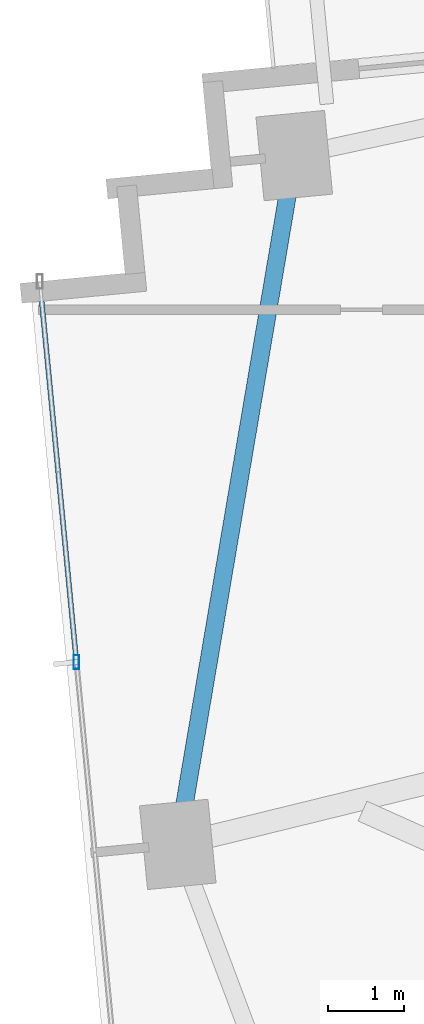
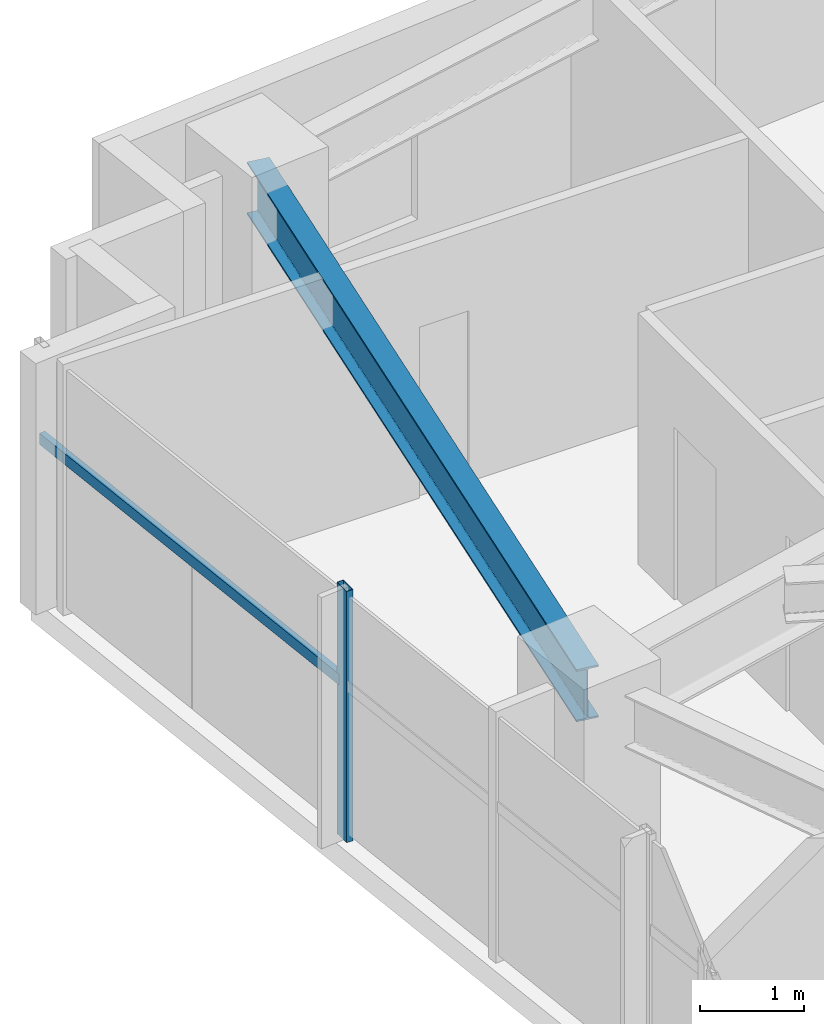
# One storey, part 4 of 25: 2 members, 1 beam, 1 element without a shape of its own.
"""IFC4 building model written with IfcOpenShell, lengths in metres."""

import ifcopenshell
import ifcopenshell.guid

model = None  # the IFC model being written
_history = None  # IfcOwnerHistory: only IFC2X3 demands one
_inside = {}  # id of a spatial element -> (the spatial element, [elements in it])
_under = {}  # id of a project, library or spatial element -> (it, [spatial elements below it])
_declared = {}  # id of a project -> (the project, [libraries it declares])
_typed = {}  # id of a type object -> (the type object, [elements of that type])
_made_of = {}  # id of a material, layer set ... -> (it, [elements and type objects made of it])


def new_model(schema):
    """Start an empty IFC model of exactly this schema.

    Asked for "IFC4X3", IfcOpenShell would pick the latest addendum, in which some entities
    have other attributes; the version numbers below select the first issue.
    IFC2X3 requires an IfcOwnerHistory on every rooted entity: one is made here for all.
    """
    global model, _history
    if schema == "IFC4X3":
        model = ifcopenshell.file(schema_version=(4, 3, 0, 0))
    else:
        model = ifcopenshell.file(schema=schema)
    _inside.clear()
    _under.clear()
    _declared.clear()
    _typed.clear()
    _made_of.clear()
    _history = None
    if model.schema == "IFC2X3":
        org = make("IfcOrganization", Name="unknown")
        user = make(
            "IfcPersonAndOrganization",
            ThePerson=make("IfcPerson", FamilyName="unknown"),
            TheOrganization=org,
        )
        app = make(
            "IfcApplication",
            ApplicationDeveloper=org,
            Version="unknown",
            ApplicationFullName="unknown",
            ApplicationIdentifier="unknown",
        )
        _history = make(
            "IfcOwnerHistory",
            OwningUser=user,
            OwningApplication=app,
            ChangeAction="ADDED",
            CreationDate=0,
        )
    return model


def make(cls, **values):
    """One entity of the class cls with the attributes given. An attribute that is None is left unset."""
    return model.create_entity(
        cls, **{name: value for name, value in values.items() if value is not None}
    )


def rooted(cls, **values):
    """An entity with a GlobalId (a new one), such as an element, a storey or a relation."""
    return make(cls, GlobalId=ifcopenshell.guid.new(), OwnerHistory=_history, **values)


def si_unit(unit_type, name, prefix=None):
    """IfcSIUnit, for example si_unit("LENGTHUNIT", "METRE", prefix="MILLI")."""
    return make("IfcSIUnit", UnitType=unit_type, Prefix=prefix, Name=name)


def assignment(units):
    """IfcUnitAssignment: the units of a project."""
    return None if units is None else make("IfcUnitAssignment", Units=units)


def point(xyz):
    """IfcCartesianPoint."""
    return None if xyz is None else make("IfcCartesianPoint", Coordinates=xyz)


def direction(xyz):
    """IfcDirection."""
    return None if xyz is None else make("IfcDirection", DirectionRatios=xyz)


def frame(location, z_axis=None, x_axis=None):
    """IfcAxis2Placement3D, a coordinate frame: its origin and axes. An axis left out is left unset."""
    return make(
        "IfcAxis2Placement3D",
        Location=point(location),
        Axis=direction(z_axis),
        RefDirection=direction(x_axis),
    )


def frame_2d(location, x_axis=None):
    """IfcAxis2Placement2D, a coordinate frame in the plane: its origin and x axis."""
    return make(
        "IfcAxis2Placement2D", Location=point(location), RefDirection=direction(x_axis)
    )


def origin():
    """The frame at (0, 0, 0) with its axes left unset."""
    return frame((0.0, 0.0, 0.0))


def origin_2d():
    """The frame at (0, 0) in the plane with its x axis left unset."""
    return frame_2d((0.0, 0.0))


def place(relative_to, where):
    """IfcLocalPlacement: puts the frame where relative to a parent placement (None: the world)."""
    return make(
        "IfcLocalPlacement", PlacementRelTo=relative_to, RelativePlacement=where
    )


def context(
    kind, dimensions, precision=None, world=None, true_north=None, identifier=None
):
    """IfcGeometricRepresentationContext, for example the 3D "Model" context."""
    return make(
        "IfcGeometricRepresentationContext",
        ContextIdentifier=identifier,
        ContextType=kind,
        CoordinateSpaceDimension=dimensions,
        Precision=precision,
        WorldCoordinateSystem=world,
        TrueNorth=true_north,
    )


def subcontext(parent, identifier, kind, view, scale=None):
    """IfcGeometricRepresentationSubContext, for example "Body" below "Model"."""
    return make(
        "IfcGeometricRepresentationSubContext",
        ContextIdentifier=identifier,
        ContextType=kind,
        ParentContext=parent,
        TargetScale=scale,
        TargetView=view,
    )


def project(units=None, contexts=None):
    """IfcProject with its units and contexts."""
    return rooted(
        "IfcProject",
        Name="project",
        RepresentationContexts=contexts,
        UnitsInContext=assignment(units),
    )


def spatial(cls, under=None, at=None, **own):
    """A site, building, storey or space (cls), placed at a placement, below another one or the project."""
    s = rooted(cls, ObjectPlacement=at, **own)
    if under is not None:
        _under.setdefault(under.id(), (under, []))[1].append(s)
    return s


def profile(cls, at=None, kind="AREA", **sizes):
    """A parametric profile (cls). Its sizes go by their IFC names, for example OverallWidth=200.0."""
    return make(cls, ProfileType=kind, Position=at, **sizes)


def hollow_rectangle(**sizes):
    """IfcRectangleHollowProfileDef."""
    return profile("IfcRectangleHollowProfileDef", **sizes)


def i_section(**sizes):
    """IfcIShapeProfileDef."""
    return profile("IfcIShapeProfileDef", **sizes)


def extrude(swept, where, along, depth):
    """IfcExtrudedAreaSolid: the profile swept, set in the frame where, extruded along a direction by depth."""
    return make(
        "IfcExtrudedAreaSolid",
        SweptArea=swept,
        Position=where,
        ExtrudedDirection=direction(along),
        Depth=depth,
    )


def shape(context_of_items, identifier, shape_type, items):
    """IfcShapeRepresentation: the items that make up one representation, for example the "Body"."""
    return make(
        "IfcShapeRepresentation",
        ContextOfItems=context_of_items,
        RepresentationIdentifier=identifier,
        RepresentationType=shape_type,
        Items=items,
    )


def source(mapping_origin, context_of_items, identifier, shape_type, items):
    """IfcRepresentationMap: a shape defined once, which mapped items show again and again."""
    return make(
        "IfcRepresentationMap",
        MappingOrigin=mapping_origin,
        MappedRepresentation=shape(context_of_items, identifier, shape_type, items),
    )


def transform(
    local_origin,
    x_axis=None,
    y_axis=None,
    z_axis=None,
    scale=None,
    scale2=None,
    scale3=None,
    uniform=True,
):
    """IfcCartesianTransformationOperator3D, or its non-uniform kind. x_axis, y_axis, z_axis: its Axis1, 2, 3."""
    if uniform:
        return make(
            "IfcCartesianTransformationOperator3D",
            Axis1=direction(x_axis),
            Axis2=direction(y_axis),
            LocalOrigin=point(local_origin),
            Scale=scale,
            Axis3=direction(z_axis),
        )
    return make(
        "IfcCartesianTransformationOperator3DnonUniform",
        Axis1=direction(x_axis),
        Axis2=direction(y_axis),
        LocalOrigin=point(local_origin),
        Scale=scale,
        Axis3=direction(z_axis),
        Scale2=scale2,
        Scale3=scale3,
    )


def mapped(mapping_source, mapping_target):
    """IfcMappedItem: shows the shape of a source again, moved by a transform."""
    return make(
        "IfcMappedItem", MappingSource=mapping_source, MappingTarget=mapping_target
    )


def material(Name=None, Category=None):
    """IfcMaterial."""
    return make("IfcMaterial", Name=Name, Category=Category)


def material_profile(
    of_material, cross_section, Name=None, Category=None, Priority=None
):
    """IfcMaterialProfile: a cross section and its material."""
    return make(
        "IfcMaterialProfile",
        Name=Name,
        Material=of_material,
        Profile=cross_section,
        Priority=Priority,
        Category=Category,
    )


def profile_set(profiles, Name=None, composite=None):
    """IfcMaterialProfileSet."""
    return make(
        "IfcMaterialProfileSet",
        Name=Name,
        MaterialProfiles=profiles,
        CompositeProfile=composite,
    )


def made_of(thing, what):
    """Note that an element or type object is made of a material, layer set ...; save() writes the relation."""
    if what is not None:
        _made_of.setdefault(what.id(), (what, []))[1].append(thing)
    return thing


def type_object(cls, material=None, **own):
    """A type object (cls), such as IfcWallType, which elements share."""
    return made_of(rooted(cls, **own), material)


def type_shapes(of_type, sources):
    """Give a type object the sources (RepresentationMaps) that its elements show as mapped items."""
    of_type.RepresentationMaps = sources


def element(
    cls,
    number,
    at=None,
    inside=None,
    cuts=None,
    type_object=None,
    material=None,
    context=None,
    identifier="Body",
    shape_type=None,
    held_by="IfcProductDefinitionShape",
    body=None,
    shapes=None,
    **own,
):
    """One element of the class cls, such as IfcWall. Its Tag is "e" and its number.

    at: its placement. inside: the storey or other place that contains it. cuts: it is an
    opening in that element (IfcRelVoidsElement). A single representation is given by context,
    identifier, shape_type and body (its items); several are given by shapes. held_by: the class
    of the entity that holds the representations. save() writes the other relations.
    """
    e = rooted(cls, Tag="e%d" % number, ObjectPlacement=at, **own)
    if body is not None:
        shapes = [shape(context, identifier, shape_type, body)]
    if shapes is not None:
        e.Representation = make(held_by, Representations=shapes)
    if inside is not None:
        _inside.setdefault(inside.id(), (inside, []))[1].append(e)
    if cuts is not None:
        rooted(
            "IfcRelVoidsElement", RelatingBuildingElement=cuts, RelatedOpeningElement=e
        )
    if type_object is not None:
        _typed.setdefault(type_object.id(), (type_object, []))[1].append(e)
    return made_of(e, material)


def aggregate(whole, parts):
    """IfcRelAggregates: a whole, such as a stair, and the parts it consists of."""
    return rooted("IfcRelAggregates", RelatingObject=whole, RelatedObjects=parts)


def save(model, path):
    """Write the relations noted so far, then the file.

    IfcRelAggregates (storeys below a building ...), IfcRelContainedInSpatialStructure (elements
    in a storey), IfcRelDefinesByType, IfcRelAssociatesMaterial and IfcRelDeclares: one each for
    every whole, place, type object, material and project.
    """
    for whole, parts in _under.values():
        aggregate(whole, parts)
    for where, things in _inside.values():
        rooted(
            "IfcRelContainedInSpatialStructure",
            RelatedElements=things,
            RelatingStructure=where,
        )
    for kind, things in _typed.values():
        rooted("IfcRelDefinesByType", RelatedObjects=things, RelatingType=kind)
    for what, things in _made_of.values():
        rooted("IfcRelAssociatesMaterial", RelatedObjects=things, RelatingMaterial=what)
    for by, libraries in _declared.values():
        rooted("IfcRelDeclares", RelatingContext=by, RelatedDefinitions=libraries)
    model.write(path)


model = new_model("IFC4")

# Units and contexts
model_context = context("Model", 3, precision=1e-05, world=origin(), true_north=direction((0.0, 1.0)))
body_context = subcontext(model_context, "Body", "Model", "MODEL_VIEW")
ifc_project = project(units=[si_unit("LENGTHUNIT", "METRE"), si_unit("AREAUNIT", "SQUARE_METRE"), si_unit("VOLUMEUNIT", "CUBIC_METRE"), si_unit("PLANEANGLEUNIT", "RADIAN"), si_unit("MASSUNIT", "GRAM", prefix="KILO")], contexts=[model_context])

# Site, building, storey
site_placement = place(None, origin())
site = spatial("IfcSite", under=ifc_project, at=site_placement, CompositionType="ELEMENT")
building_placement = place(site_placement, origin())
building = spatial("IfcBuilding", under=site, at=building_placement, Name="Astriad Promenade Condominiums", CompositionType="ELEMENT")
storey_placement = place(building_placement, frame((0.0, 0.0, 81.0)))
storey = spatial("IfcBuildingStorey", under=building, at=storey_placement, Name="L22", CompositionType="ELEMENT", Elevation=81.0)

# Beam
ifc_material_1 = material(Name="Steel ASTM A992 Grade 50", Category="steel")
ifc_material_profile_1 = material_profile(ifc_material_1, i_section(OverallWidth=0.22900390625, OverallDepth=0.612060546875, WebThickness=0.011962890625, FlangeThickness=0.01953125, FilletRadius=0.017822265625, at=origin_2d()), Name="W24X84")
ifc_profile_set_1 = profile_set([ifc_material_profile_1], Name="Steel ASTM A992 Grade 50")
beam_type = type_object("IfcBeamType", Name="STEEL SPANDREL BEAM W24X84", PredefinedType="SPANDREL", material=ifc_profile_set_1)
shared_shape_1 = source(origin(), body_context, "Body", "SweptSolid", [
    extrude(i_section(OverallWidth=0.22900390625, OverallDepth=0.612060546875, WebThickness=0.011962890625, FlangeThickness=0.01953125, FilletRadius=0.017822265625, at=origin_2d()), origin(), (0.0, 0.0, 1.0), 9.055419921875),
])
type_shapes(beam_type, [shared_shape_1])
beam_placement = place(storey_placement, frame((12.2685546875, 22.52880859375, 2.6337890625), z_axis=(-0.166776851291, -0.98599466625, 0.0), x_axis=(0.98599466625, -0.166776851291, 0.0)))
element("IfcBeam", 1, at=beam_placement, inside=storey, type_object=beam_type, Name="Perimeter Spandrel Beam SP-W2-L22", PredefinedType="SPANDREL", context=body_context, shape_type="MappedRepresentation", body=[
    mapped(shared_shape_1, transform((0.0, 0.0, 0.0), scale=1.0)),
])

# Curtain wall, members
ifc_material_2 = material(Name="Anodised aluminium Black Dark Glass Unitised", Category="aluminium")
curtain_wall_type = type_object("IfcCurtainWallType", Name="CW-B2-DARK", PredefinedType="USERDEFINED", material=ifc_material_2)
curtain_wall_placement = place(storey_placement, origin())
curtain_wall = element("IfcCurtainWall", 2, at=curtain_wall_placement, inside=storey, type_object=curtain_wall_type, Name="CW-L22-W", ObjectType="UNITISED_CURTAIN_WALL", PredefinedType="USERDEFINED")
ifc_material_3 = material(Name="Anodised aluminium 6063-T6 Black", Category="aluminium")
ifc_material_profile_2 = material_profile(ifc_material_3, hollow_rectangle(XDim=0.074951171875, YDim=0.18505859375, WallThickness=0.00439453125, at=origin_2d()), Name="ALU-MUL-75X185")
ifc_profile_set_2 = profile_set([ifc_material_profile_2], Name="Anodised aluminium 6063-T6 Black")
member_type_1 = type_object("IfcMemberType", Name="MUL-ALU-MUL-75X185", PredefinedType="MULLION", material=ifc_profile_set_2)
shared_shape_2 = source(origin(), body_context, "Body", "SweptSolid", [
    extrude(hollow_rectangle(XDim=0.074951171875, YDim=0.18505859375, WallThickness=0.00439453125, at=origin_2d()), origin(), (0.0, 0.0, 1.0), 2.93994140625),
])
type_shapes(member_type_1, [shared_shape_2])
member_1_placement = place(storey_placement, frame((9.427001953125, 15.94482421875, 0.0), z_axis=(0.0, 0.0, 1.0), x_axis=(1.0, 0.0, 0.0)))
member_1 = element("IfcMember", 3, at=member_1_placement, type_object=member_type_1, Name="CW-L22-W-MUL-02", PredefinedType="MULLION", context=body_context, shape_type="MappedRepresentation", body=[
    mapped(shared_shape_2, transform((0.0, 0.0, 0.0), scale=1.0)),
])
ifc_material_profile_3 = material_profile(ifc_material_3, hollow_rectangle(XDim=0.06494140625, YDim=0.1298828125, WallThickness=0.00390625, at=origin_2d()), Name="ALU-TRN-65X130")
ifc_profile_set_3 = profile_set([ifc_material_profile_3], Name="Anodised aluminium 6063-T6 Black")
member_type_2 = type_object("IfcMemberType", Name="TRN-ALU-TRN-65X130", PredefinedType="USERDEFINED", material=ifc_profile_set_3)
shared_shape_3 = source(origin(), body_context, "Body", "SweptSolid", [
    extrude(hollow_rectangle(XDim=0.06494140625, YDim=0.1298828125, WallThickness=0.00390625, at=origin_2d()), origin(), (0.0, 0.0, 1.0), 5.0),
])
type_shapes(member_type_2, [shared_shape_3])
member_2_placement = place(storey_placement, frame((9.427001953125, 15.94482421875, 1.82275390625), z_axis=(-0.095848242264, 0.995395958629, 0.0), x_axis=(-0.995395958629, -0.095848242264, 0.0)))
member_2 = element("IfcMember", 4, at=member_2_placement, type_object=member_type_2, Name="CW-L22-W-TRN-02-0", ObjectType="TRANSOM", PredefinedType="USERDEFINED", context=body_context, shape_type="MappedRepresentation", body=[
    mapped(shared_shape_3, transform((0.0, 0.0, 0.0), scale=1.0)),
])
aggregate(curtain_wall, [member_1, member_2])

save(model, "model.ifc")
